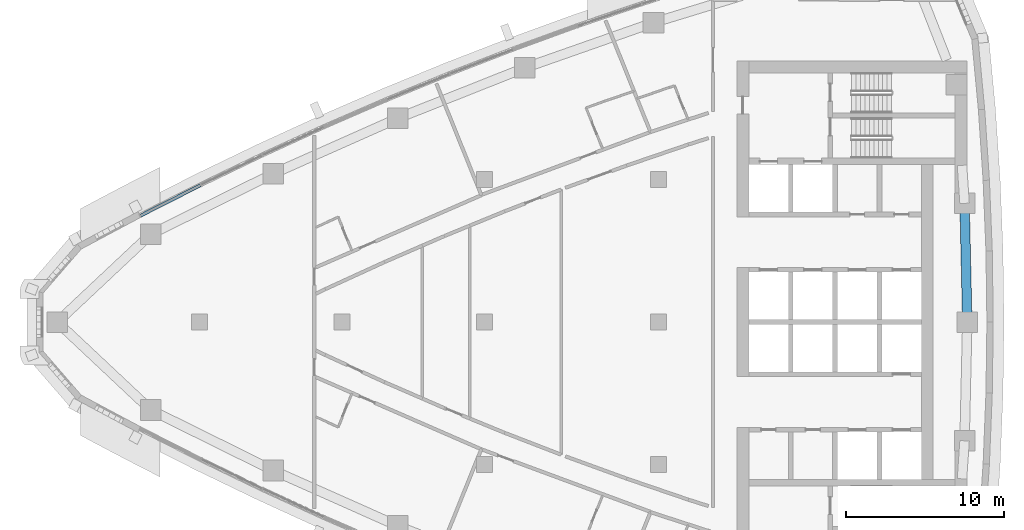
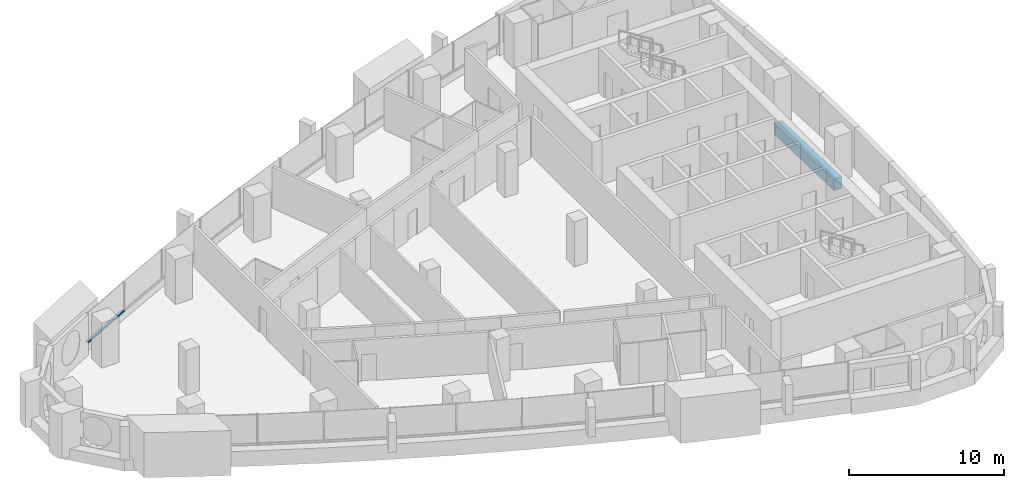
# One storey, part 5 of 16: 1 beam, 1 member, 1 element without a shape of its own.
"""IFC4 building model written with IfcOpenShell, lengths in metres."""

from ifc_helpers import new_model, si_unit, direction, frame, origin, origin_2d, place, context, subcontext, project, spatial, rectangle, extrude, material, layer, layer_set, material_profile, profile_set, type_object, element, aggregate, save


model = new_model("IFC4")

# Units and contexts
model_context = context("Model", 3, precision=1e-05, world=origin(), true_north=direction((0.0, 1.0)))
body_context = subcontext(model_context, "Body", "Model", "MODEL_VIEW")
ifc_project = project(units=[si_unit("LENGTHUNIT", "METRE"), si_unit("AREAUNIT", "SQUARE_METRE"), si_unit("VOLUMEUNIT", "CUBIC_METRE"), si_unit("PLANEANGLEUNIT", "RADIAN"), si_unit("MASSUNIT", "GRAM", prefix="KILO")], contexts=[model_context])

# Site, building, storey
site_placement = place(None, origin())
site = spatial("IfcSite", under=ifc_project, at=site_placement, CompositionType="ELEMENT")
building_placement = place(site_placement, origin())
building = spatial("IfcBuilding", under=site, at=building_placement, Name="Ostrand Prow Hotel Tower", CompositionType="ELEMENT")
storey_placement = place(building_placement, frame((0.0, 0.0, 186.14990234375)))
storey = spatial("IfcBuildingStorey", under=building, at=storey_placement, Name="L46", CompositionType="ELEMENT", Elevation=186.14990234375)

# Beam
ifc_material_1 = material(Name="Concrete C60/75", Category="concrete")
ifc_material_profile_1 = material_profile(ifc_material_1, rectangle(XDim=0.60009765625, YDim=0.89990234375, at=origin_2d()), Name="RC 600x900")
ifc_profile_set_1 = profile_set([ifc_material_profile_1], Name="Concrete C60/75")
beam_type = type_object("IfcBeamType", Name="Edge beam 600x900 C60/75", PredefinedType="SPANDREL", material=ifc_profile_set_1)
beam_placement = place(storey_placement, frame((64.5, 0.0, -0.75), z_axis=(-0.022620118241, 0.999744132391, 0.0), x_axis=(-0.999744132391, -0.022620118241, 0.0)))
element("IfcBeam", 1, at=beam_placement, inside=storey, type_object=beam_type, Name="Edge beam B3-B4", PredefinedType="SPANDREL", context=body_context, shape_type="SweptSolid", body=[
    extrude(rectangle(XDim=0.60009765625, YDim=0.89990234375, at=origin_2d()), origin(), (0.0, 0.0, 1.0), 7.501220703125),
])

# Curtain wall, member
ifc_material_2 = material(Name="Insulated glass in bronze anodised frame", Category="glass")
ifc_layer = layer(ifc_material_2, 0.199951171875)
ifc_layer_set = layer_set([ifc_layer], Name="Insulated glass in bronze anodised frame")
curtain_wall_type = type_object("IfcCurtainWallType", Name="Strip curtain wall, fritted glass over bronze spandrel", PredefinedType="NOTDEFINED", material=ifc_layer_set)
curtain_wall_placement = place(storey_placement, origin())
curtain_wall = element("IfcCurtainWall", 2, at=curtain_wall_placement, inside=storey, type_object=curtain_wall_type, Name="CW1 run CWN5", PredefinedType="NOTDEFINED")
ifc_material_3 = material(Name="Bronze anodised aluminium", Category="aluminium")
ifc_material_profile_2 = material_profile(ifc_material_3, rectangle(XDim=0.199951171875, YDim=0.1201171875, at=origin_2d()), Name="Transom 120x200 bronze anodised aluminium")
ifc_profile_set_2 = profile_set([ifc_material_profile_2], Name="Bronze anodised aluminium")
member_type = type_object("IfcMemberType", Name="Transom 120x200 bronze anodised aluminium", PredefinedType="USERDEFINED", material=ifc_profile_set_2)
member_placement = place(storey_placement, frame((16.06787109375, 8.6474609375, 0.960205078125), z_axis=(-0.891672840777, -0.452680400526, 0.0), x_axis=(0.452680400526, -0.891672840777, 0.0)))
member = element("IfcMember", 3, at=member_placement, type_object=member_type, Name="CW1 transom 2.1", ObjectType="TRANSOM", PredefinedType="USERDEFINED", context=body_context, shape_type="SweptSolid", body=[
    extrude(rectangle(XDim=0.199951171875, YDim=0.1201171875, at=origin_2d()), origin(), (0.0, 0.0, 1.0), 4.2451171875),
])
aggregate(curtain_wall, [member])

save(model, "model.ifc")
